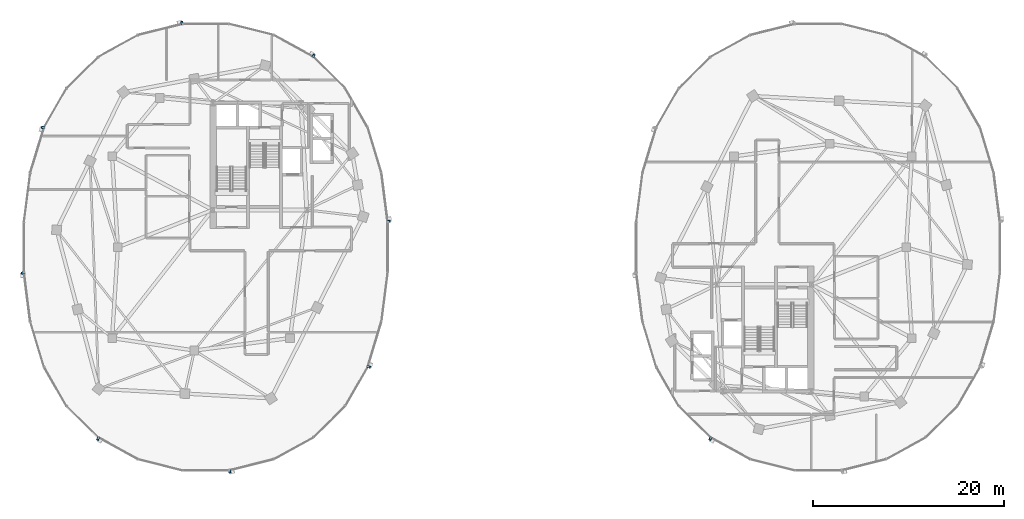
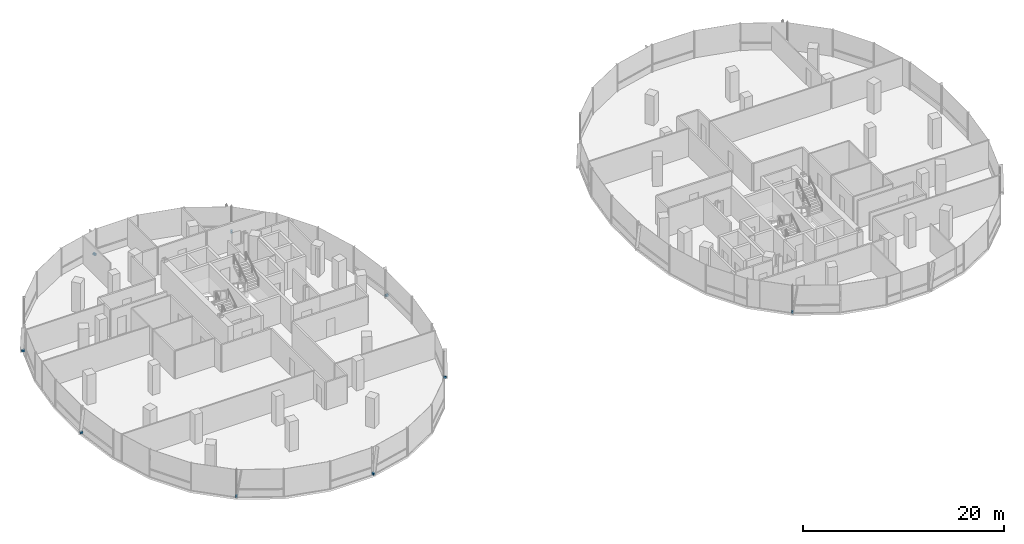
# One storey, part 16 of 22: 9 discrete accessories.
"""IFC4 building model written with IfcOpenShell, lengths in metres."""

from ifc_helpers import new_model, si_unit, direction, frame, origin, origin_2d, place, context, subcontext, project, spatial, rectangle, extrude, material, type_object, element, save


model = new_model("IFC4")

# Units and contexts
model_context = context("Model", 3, precision=1e-05, world=origin(), true_north=direction((0.0, 1.0)))
body_context = subcontext(model_context, "Body", "Model", "MODEL_VIEW")
ifc_project = project(units=[si_unit("LENGTHUNIT", "METRE"), si_unit("AREAUNIT", "SQUARE_METRE"), si_unit("VOLUMEUNIT", "CUBIC_METRE"), si_unit("PLANEANGLEUNIT", "RADIAN"), si_unit("MASSUNIT", "GRAM", prefix="KILO"), si_unit("THERMODYNAMICTEMPERATUREUNIT", "KELVIN"), si_unit("POWERUNIT", "WATT")], contexts=[model_context])

# Site, building, storey
site_placement = place(None, origin())
site = spatial("IfcSite", under=ifc_project, at=site_placement, CompositionType="ELEMENT")
building_placement = place(site_placement, origin())
building = spatial("IfcBuilding", under=site, at=building_placement, Name="Cundina Bronze Exchange", CompositionType="ELEMENT")
storey_placement = place(building_placement, frame((0.0, 0.0, 165.60009765625)))
storey = spatial("IfcBuildingStorey", under=building, at=storey_placement, Name="L43", CompositionType="ELEMENT", Elevation=165.60009765625)

# Discrete accessories
ifc_material = material(Name="Anodised Bronze Aluminium 6063-T6", Category="aluminium")
discrete_accessory_type = type_object("IfcDiscreteAccessoryType", Name="ACC-BRK-FIN", PredefinedType="BRACKET", material=ifc_material)
for number, where, z_axis, x_axis, name in (
    (1, (-12.874267578125, 2.69189453125, 0.10009765625), (0.0, 0.0, 1.0), (-0.126475984253, 0.9919696696, 0.0), "L43 Fin Support Bracket 1"),
    (2, (-20.733154296875, 20.015380859375, 0.10009765625), (0.0, 0.0, 1.0), (-0.875869093438, 0.482548786301, 0.0), "L43 Fin Support Bracket 5"),
    (3, (-34.492919921875, 23.44970703125, 0.10009765625), (0.0, 0.0, 1.0), (-0.970092713791, -0.242734683656, 0.0), "L43 Fin Support Bracket 1"),
    (4, (-49.0458984375, 12.511962890625, 0.10009765625), (0.0, 0.0, 1.0), (-0.290050843957, -0.957011237092, 0.0), "L43 Fin Support Bracket 5"),
    (5, (-51.125732421875, -2.69189453125, 0.10009765625), (0.0, 0.0, 1.0), (0.126475984253, -0.9919696696, 0.0), "L43 Fin Support Bracket 1"),
    (6, (-43.266845703125, -20.015380859375, 0.10009765625), (0.0, 0.0, 1.0), (0.875869093438, -0.482548786301, 0.0), "L43 Fin Support Bracket 5"),
    (7, (-29.507080078125, -23.44970703125, 0.10009765625), (0.0, 0.0, 1.0), (0.970092713791, 0.242734683656, 0.0), "L43 Fin Support Bracket 1"),
    (8, (-14.9541015625, -12.511962890625, 0.10009765625), (0.0, 0.0, 1.0), (0.290050843957, 0.957011237092, 0.0), "L43 Fin Support Bracket 5"),
    (9, (20.733154296875, -20.015380859375, 0.10009765625), (0.0, 0.0, 1.0), (0.875869093438, -0.482548786301, 0.0), "L43 Fin Support Bracket 5"),
):
    element("IfcDiscreteAccessory", number, at=place(storey_placement, frame(where, z_axis=z_axis, x_axis=x_axis)), inside=storey, type_object=discrete_accessory_type, Name=name, PredefinedType="BRACKET", context=body_context, shape_type="SweptSolid", body=[
        extrude(rectangle(XDim=0.219970703125, YDim=0.320068359375, at=origin_2d()), origin(), (0.0, 0.0, 1.0), 0.239990234375),
    ])

save(model, "model.ifc")
